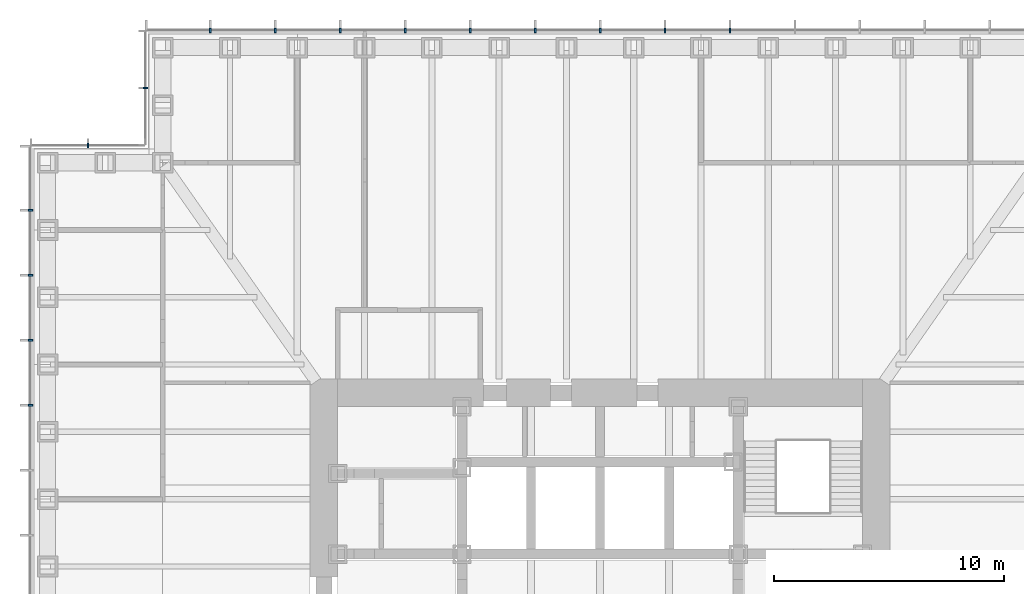
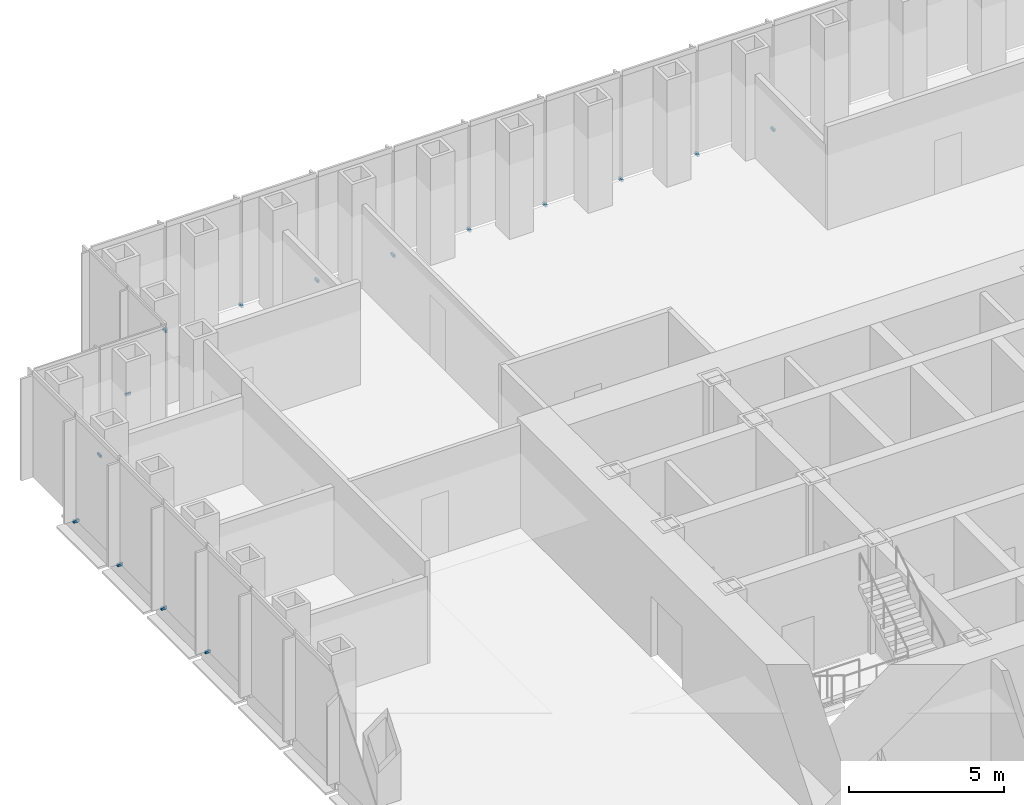
# One storey, part 15 of 17: 15 discrete accessories.
"""IFC4 building model written with IfcOpenShell, lengths in metres."""

from ifc_helpers import new_model, si_unit, direction, frame, origin, origin_2d, place, context, subcontext, project, spatial, rectangle, extrude, element, save


model = new_model("IFC4")

# Units and contexts
model_context = context("Model", 3, precision=1e-05, world=origin(), true_north=direction((0.0, 1.0)))
body_context = subcontext(model_context, "Body", "Model", "MODEL_VIEW")
ifc_project = project(units=[si_unit("LENGTHUNIT", "METRE"), si_unit("AREAUNIT", "SQUARE_METRE"), si_unit("VOLUMEUNIT", "CUBIC_METRE"), si_unit("PLANEANGLEUNIT", "RADIAN"), si_unit("MASSUNIT", "GRAM", prefix="KILO")], contexts=[model_context])

# Site, building, storey
site_placement = place(None, origin())
site = spatial("IfcSite", under=ifc_project, at=site_placement, CompositionType="ELEMENT")
building_placement = place(site_placement, origin())
building = spatial("IfcBuilding", under=site, at=building_placement, Name="Daluyong Arena Tower", CompositionType="ELEMENT")
storey_placement = place(building_placement, frame((0.0, 0.0, 89.5)))
storey = spatial("IfcBuildingStorey", under=building, at=storey_placement, Name="L19", CompositionType="ELEMENT", Elevation=89.5)

# Discrete accessories
for number, where, z_axis, x_axis, name in (
    (1, (61.642822265625, 104.75, -0.10009765625), (0.0, 0.0, 1.0), (-1.0, 0.0, 0.0), "curtain wall L19 N anchor bracket 6"),
    (2, (58.821533203125, 104.75, -0.10009765625), (0.0, 0.0, 1.0), (-1.0, 0.0, 0.0), "curtain wall L19 N anchor bracket 7"),
    (3, (56.0, 104.75, -0.10009765625), (0.0, 0.0, 1.0), (-1.0, 0.0, 0.0), "curtain wall L19 N anchor bracket 8"),
    (4, (53.178466796875, 104.75, -0.10009765625), (0.0, 0.0, 1.0), (-1.0, 0.0, 0.0), "curtain wall L19 N anchor bracket 9"),
    (5, (50.357177734375, 104.75, -0.10009765625), (0.0, 0.0, 1.0), (-1.0, 0.0, 0.0), "curtain wall L19 N anchor bracket 10"),
    (6, (47.53564453125, 104.75, -0.10009765625), (0.0, 0.0, 1.0), (-1.0, 0.0, 0.0), "curtain wall L19 N anchor bracket 11"),
    (7, (44.71435546875, 104.75, -0.10009765625), (0.0, 0.0, 1.0), (-1.0, 0.0, 0.0), "curtain wall L19 N anchor bracket 12"),
    (8, (41.892822265625, 104.75, -0.10009765625), (0.0, 0.0, 1.0), (-1.0, 0.0, 0.0), "curtain wall L19 N anchor bracket 13"),
    (9, (39.071533203125, 104.75, -0.10009765625), (0.0, 0.0, 1.0), (-1.0, 0.0, 0.0), "curtain wall L19 N anchor bracket 14"),
):
    element("IfcDiscreteAccessory", number, at=place(storey_placement, frame(where, z_axis=z_axis, x_axis=x_axis)), inside=storey, Name=name, PredefinedType="BRACKET", context=body_context, shape_type="SweptSolid", body=[
        extrude(rectangle(XDim=0.080078125, YDim=0.199951171875, at=origin_2d()), origin(), (0.0, 0.0, 1.0), 0.10009765625),
    ])
for number, where, z_axis, x_axis, name in (
    (10, (36.25, 102.25, -0.10009765625), (0.0, 0.0, 1.0), (0.0, -1.0, 0.0), "curtain wall L19 NW-W anchor bracket 2"),
    (11, (33.75, 99.75, -0.10009765625), (0.0, 0.0, 1.0), (-1.0, 0.0, 0.0), "curtain wall L19 NW-N anchor bracket 2"),
):
    element("IfcDiscreteAccessory", number, at=place(storey_placement, frame(where, z_axis=z_axis, x_axis=x_axis)), inside=storey, Name=name, PredefinedType="BRACKET", context=body_context, shape_type="SweptSolid", body=[
        extrude(rectangle(XDim=0.06005859375, YDim=0.199951171875, at=origin_2d()), origin(), (0.0, 0.0, 1.0), 0.10009765625),
    ])
for number, where, z_axis, x_axis, name in (
    (12, (31.25, 96.928466796875, -0.10009765625), (0.0, 0.0, 1.0), (0.0, -1.0, 0.0), "curtain wall L19 W anchor bracket 2"),
    (13, (31.25, 94.107177734375, -0.10009765625), (0.0, 0.0, 1.0), (0.0, -1.0, 0.0), "curtain wall L19 W anchor bracket 3"),
    (14, (31.25, 91.28564453125, -0.10009765625), (0.0, 0.0, 1.0), (0.0, -1.0, 0.0), "curtain wall L19 W anchor bracket 4"),
    (15, (31.25, 88.46435546875, -0.10009765625), (0.0, 0.0, 1.0), (0.0, -1.0, 0.0), "curtain wall L19 W anchor bracket 5"),
):
    element("IfcDiscreteAccessory", number, at=place(storey_placement, frame(where, z_axis=z_axis, x_axis=x_axis)), inside=storey, Name=name, PredefinedType="BRACKET", context=body_context, shape_type="SweptSolid", body=[
        extrude(rectangle(XDim=0.080078125, YDim=0.199951171875, at=origin_2d()), origin(), (0.0, 0.0, 1.0), 0.10009765625),
    ])

save(model, "model.ifc")
